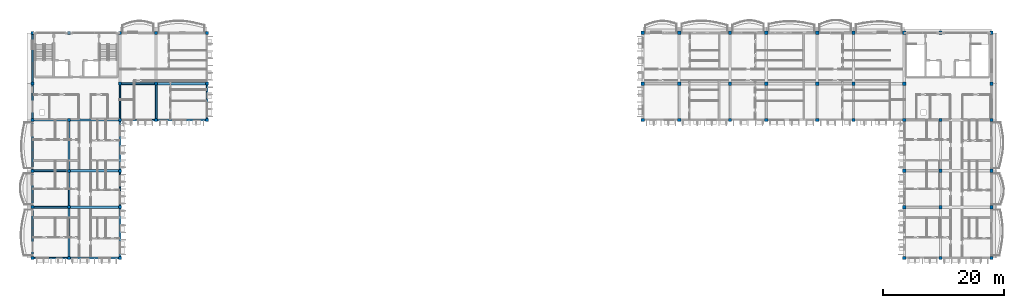
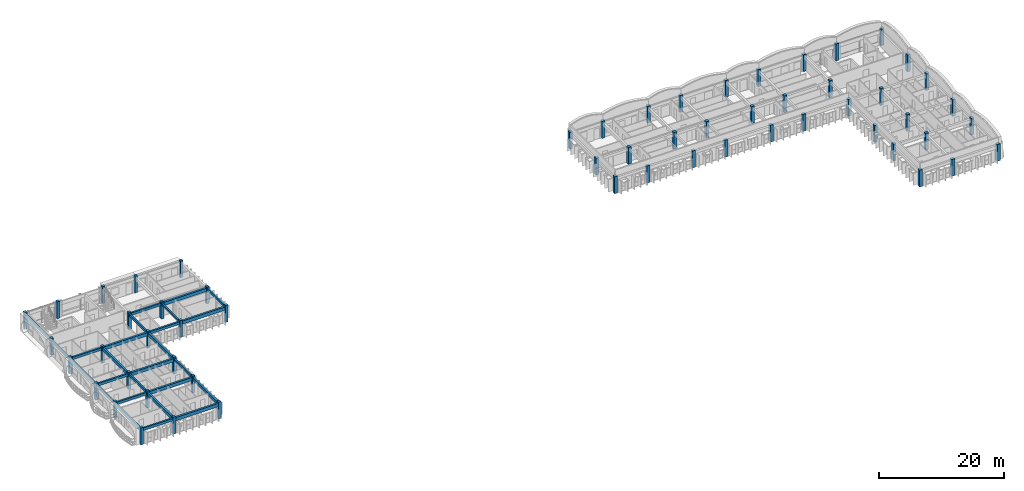
# One storey, part 1 of 28: 58 columns, 26 beams.
"""IFC4 building model written with IfcOpenShell, lengths in metres."""

from ifc_helpers import new_model, si_unit, direction, frame, origin, origin_2d, place, context, subcontext, project, spatial, rectangle, extrude, material, material_profile, profile_set, type_object, element, save


model = new_model("IFC4")

# Units and contexts
model_context = context("Model", 3, precision=1e-05, world=origin(), true_north=direction((0.0, 1.0)))
body_context = subcontext(model_context, "Body", "Model", "MODEL_VIEW")
ifc_project = project(units=[si_unit("LENGTHUNIT", "METRE"), si_unit("AREAUNIT", "SQUARE_METRE"), si_unit("VOLUMEUNIT", "CUBIC_METRE"), si_unit("PLANEANGLEUNIT", "RADIAN"), si_unit("MASSUNIT", "GRAM", prefix="KILO"), si_unit("THERMODYNAMICTEMPERATUREUNIT", "KELVIN")], contexts=[model_context])

# Site, building, storey
site_placement = place(None, origin())
site = spatial("IfcSite", under=ifc_project, at=site_placement, CompositionType="ELEMENT")
building_placement = place(site_placement, origin())
building = spatial("IfcBuilding", under=site, at=building_placement, Name="Thalorik Housing Commons", CompositionType="ELEMENT")
storey_placement = place(building_placement, frame((0.0, 0.0, 41.10009765625)))
storey = spatial("IfcBuildingStorey", under=building, at=storey_placement, Name="L12", CompositionType="ELEMENT", Elevation=41.10009765625)

# Columns
ifc_material = material(Name="Precast concrete C40/50", Category="concrete")
ifc_material_profile_1 = material_profile(ifc_material, rectangle(XDim=0.5, YDim=0.5, at=origin_2d()), Name="PC 500x500", Category="concrete")
ifc_profile_set_1 = profile_set([ifc_material_profile_1], Name="Precast concrete C40/50")
column_type_1 = type_object("IfcColumnType", Name="STR-COL-PC500", PredefinedType="COLUMN", material=ifc_profile_set_1)
for number, where, z_axis, x_axis, name in (
    (1, (8.39990234375, 86.39990234375, 0.0), (0.0, 0.0, 1.0), (1.0, 0.0, 0.0), "L12 Column C-500"),
    (2, (8.39990234375, 94.800048828125, 0.0), (0.0, 0.0, 1.0), (1.0, 0.0, 0.0), "L12 Column C-500"),
    (3, (8.39990234375, 100.800048828125, 0.0), (0.0, 0.0, 1.0), (1.0, 0.0, 0.0), "L12 Column C-500"),
    (4, (8.39990234375, 109.199951171875, 0.0), (0.0, 0.0, 1.0), (1.0, 0.0, 0.0), "L12 Column C-500"),
    (5, (8.39990234375, 115.199951171875, 0.0), (0.0, 0.0, 1.0), (1.0, 0.0, 0.0), "L12 Column C-500"),
    (6, (8.39990234375, 123.60009765625, 0.0), (0.0, 0.0, 1.0), (1.0, 0.0, 0.0), "L12 Column C-500"),
    (7, (14.39990234375, 86.39990234375, 0.0), (0.0, 0.0, 1.0), (1.0, 0.0, 0.0), "L12 Column C-500"),
    (8, (14.39990234375, 94.800048828125, 0.0), (0.0, 0.0, 1.0), (1.0, 0.0, 0.0), "L12 Column C-500"),
    (9, (14.39990234375, 100.800048828125, 0.0), (0.0, 0.0, 1.0), (1.0, 0.0, 0.0), "L12 Column C-500"),
    (10, (14.39990234375, 109.199951171875, 0.0), (0.0, 0.0, 1.0), (1.0, 0.0, 0.0), "L12 Column C-500"),
    (11, (14.39990234375, 123.60009765625, 0.0), (0.0, 0.0, 1.0), (1.0, 0.0, 0.0), "L12 Column C-500"),
    (12, (22.800048828125, 86.39990234375, 0.0), (0.0, 0.0, 1.0), (1.0, 0.0, 0.0), "L12 Column C-500"),
    (13, (22.800048828125, 94.800048828125, 0.0), (0.0, 0.0, 1.0), (1.0, 0.0, 0.0), "L12 Column C-500"),
    (14, (22.800048828125, 100.800048828125, 0.0), (0.0, 0.0, 1.0), (1.0, 0.0, 0.0), "L12 Column C-500"),
    (15, (22.800048828125, 109.199951171875, 0.0), (0.0, 0.0, 1.0), (1.0, 0.0, 0.0), "L12 Column C-500"),
    (16, (22.800048828125, 115.199951171875, 0.0), (0.0, 0.0, 1.0), (1.0, 0.0, 0.0), "L12 Column C-500"),
    (17, (22.800048828125, 123.60009765625, 0.0), (0.0, 0.0, 1.0), (1.0, 0.0, 0.0), "L12 Column C-500"),
    (18, (28.800048828125, 109.199951171875, 0.0), (0.0, 0.0, 1.0), (1.0, 0.0, 0.0), "L12 Column C-500"),
    (19, (28.800048828125, 115.199951171875, 0.0), (0.0, 0.0, 1.0), (1.0, 0.0, 0.0), "L12 Column C-500"),
    (20, (28.800048828125, 123.60009765625, 0.0), (0.0, 0.0, 1.0), (1.0, 0.0, 0.0), "L12 Column C-500"),
    (21, (37.199951171875, 109.199951171875, 0.0), (0.0, 0.0, 1.0), (1.0, 0.0, 0.0), "L12 Column C-500"),
    (22, (37.199951171875, 115.199951171875, 0.0), (0.0, 0.0, 1.0), (1.0, 0.0, 0.0), "L12 Column C-500"),
    (23, (37.199951171875, 123.60009765625, 0.0), (0.0, 0.0, 1.0), (1.0, 0.0, 0.0), "L12 Column C-500"),
):
    element("IfcColumn", number, at=place(storey_placement, frame(where, z_axis=z_axis, x_axis=x_axis)), inside=storey, type_object=column_type_1, Name=name, PredefinedType="COLUMN", context=body_context, shape_type="SweptSolid", body=[
        extrude(rectangle(XDim=0.5, YDim=0.5, at=origin_2d()), origin(), (0.0, 0.0, 1.0), 3.2998046875),
    ])
ifc_material_profile_2 = material_profile(ifc_material, rectangle(XDim=0.550048828125, YDim=0.550048828125, at=origin_2d()), Name="PC 550x550", Category="concrete")
ifc_profile_set_2 = profile_set([ifc_material_profile_2], Name="Precast concrete C40/50")
column_type_2 = type_object("IfcColumnType", Name="STR-COL-PC550", PredefinedType="COLUMN", material=ifc_profile_set_2)
for number, where, z_axis, x_axis, name in (
    (24, (109.199951171875, 109.199951171875, 0.0), (0.0, 0.0, 1.0), (1.0, 0.0, 0.0), "L12 Column C-550"),
    (25, (109.199951171875, 115.199951171875, 0.0), (0.0, 0.0, 1.0), (1.0, 0.0, 0.0), "L12 Column C-550"),
    (26, (109.199951171875, 123.60009765625, 0.0), (0.0, 0.0, 1.0), (1.0, 0.0, 0.0), "L12 Column C-550"),
    (27, (115.199951171875, 109.199951171875, 0.0), (0.0, 0.0, 1.0), (1.0, 0.0, 0.0), "L12 Column C-550"),
    (28, (115.199951171875, 115.199951171875, 0.0), (0.0, 0.0, 1.0), (1.0, 0.0, 0.0), "L12 Column C-550"),
    (29, (115.199951171875, 123.60009765625, 0.0), (0.0, 0.0, 1.0), (1.0, 0.0, 0.0), "L12 Column C-550"),
    (30, (123.60009765625, 109.199951171875, 0.0), (0.0, 0.0, 1.0), (1.0, 0.0, 0.0), "L12 Column C-550"),
    (31, (123.60009765625, 115.199951171875, 0.0), (0.0, 0.0, 1.0), (1.0, 0.0, 0.0), "L12 Column C-550"),
    (32, (123.60009765625, 123.60009765625, 0.0), (0.0, 0.0, 1.0), (1.0, 0.0, 0.0), "L12 Column C-550"),
    (33, (129.60009765625, 109.199951171875, 0.0), (0.0, 0.0, 1.0), (1.0, 0.0, 0.0), "L12 Column C-550"),
    (34, (129.60009765625, 115.199951171875, 0.0), (0.0, 0.0, 1.0), (1.0, 0.0, 0.0), "L12 Column C-550"),
    (35, (129.60009765625, 123.60009765625, 0.0), (0.0, 0.0, 1.0), (1.0, 0.0, 0.0), "L12 Column C-550"),
    (36, (138.0, 109.199951171875, 0.0), (0.0, 0.0, 1.0), (1.0, 0.0, 0.0), "L12 Column C-550"),
    (37, (138.0, 115.199951171875, 0.0), (0.0, 0.0, 1.0), (1.0, 0.0, 0.0), "L12 Column C-550"),
    (38, (138.0, 123.60009765625, 0.0), (0.0, 0.0, 1.0), (1.0, 0.0, 0.0), "L12 Column C-550"),
    (39, (144.0, 109.199951171875, 0.0), (0.0, 0.0, 1.0), (1.0, 0.0, 0.0), "L12 Column C-550"),
    (40, (144.0, 115.199951171875, 0.0), (0.0, 0.0, 1.0), (1.0, 0.0, 0.0), "L12 Column C-550"),
    (41, (144.0, 123.60009765625, 0.0), (0.0, 0.0, 1.0), (1.0, 0.0, 0.0), "L12 Column C-550"),
    (42, (152.39990234375, 86.39990234375, 0.0), (0.0, 0.0, 1.0), (1.0, 0.0, 0.0), "L12 Column C-550"),
    (43, (152.39990234375, 94.800048828125, 0.0), (0.0, 0.0, 1.0), (1.0, 0.0, 0.0), "L12 Column C-550"),
    (44, (152.39990234375, 100.800048828125, 0.0), (0.0, 0.0, 1.0), (1.0, 0.0, 0.0), "L12 Column C-550"),
    (45, (152.39990234375, 109.199951171875, 0.0), (0.0, 0.0, 1.0), (1.0, 0.0, 0.0), "L12 Column C-550"),
    (46, (152.39990234375, 115.199951171875, 0.0), (0.0, 0.0, 1.0), (1.0, 0.0, 0.0), "L12 Column C-550"),
    (47, (152.39990234375, 123.60009765625, 0.0), (0.0, 0.0, 1.0), (1.0, 0.0, 0.0), "L12 Column C-550"),
    (48, (158.39990234375, 86.39990234375, 0.0), (0.0, 0.0, 1.0), (1.0, 0.0, 0.0), "L12 Column C-550"),
    (49, (158.39990234375, 94.800048828125, 0.0), (0.0, 0.0, 1.0), (1.0, 0.0, 0.0), "L12 Column C-550"),
    (50, (158.39990234375, 100.800048828125, 0.0), (0.0, 0.0, 1.0), (1.0, 0.0, 0.0), "L12 Column C-550"),
    (51, (158.39990234375, 109.199951171875, 0.0), (0.0, 0.0, 1.0), (1.0, 0.0, 0.0), "L12 Column C-550"),
    (52, (158.39990234375, 123.60009765625, 0.0), (0.0, 0.0, 1.0), (1.0, 0.0, 0.0), "L12 Column C-550"),
    (53, (166.800048828125, 86.39990234375, 0.0), (0.0, 0.0, 1.0), (1.0, 0.0, 0.0), "L12 Column C-550"),
    (54, (166.800048828125, 94.800048828125, 0.0), (0.0, 0.0, 1.0), (1.0, 0.0, 0.0), "L12 Column C-550"),
    (55, (166.800048828125, 100.800048828125, 0.0), (0.0, 0.0, 1.0), (1.0, 0.0, 0.0), "L12 Column C-550"),
    (56, (166.800048828125, 109.199951171875, 0.0), (0.0, 0.0, 1.0), (1.0, 0.0, 0.0), "L12 Column C-550"),
    (57, (166.800048828125, 115.199951171875, 0.0), (0.0, 0.0, 1.0), (1.0, 0.0, 0.0), "L12 Column C-550"),
    (58, (166.800048828125, 123.60009765625, 0.0), (0.0, 0.0, 1.0), (1.0, 0.0, 0.0), "L12 Column C-550"),
):
    element("IfcColumn", number, at=place(storey_placement, frame(where, z_axis=z_axis, x_axis=x_axis)), inside=storey, type_object=column_type_2, Name=name, PredefinedType="COLUMN", context=body_context, shape_type="SweptSolid", body=[
        extrude(rectangle(XDim=0.550048828125, YDim=0.550048828125, at=origin_2d()), origin(), (0.0, 0.0, 1.0), 3.2998046875),
    ])

# Beams
ifc_material_profile_3 = material_profile(ifc_material, rectangle(XDim=0.280029296875, YDim=0.449951171875, at=origin_2d()), Name="PC 280x450", Category="concrete")
ifc_profile_set_3 = profile_set([ifc_material_profile_3], Name="Precast concrete C40/50")
beam_type_1 = type_object("IfcBeamType", Name="STR-BM-PC280x450", PredefinedType="BEAM", material=ifc_profile_set_3)
for number, where, z_axis, x_axis, name in (
    (59, (14.39990234375, 95.0, 2.81494140625), (0.0, 1.0, 0.0), (-1.0, 0.0, 0.0), "L12 Beam B-450"),
    (60, (22.800048828125, 95.0, 2.81494140625), (0.0, 1.0, 0.0), (-1.0, 0.0, 0.0), "L12 Beam B-450"),
    (61, (22.800048828125, 109.39990234375, 2.81494140625), (0.0, 1.0, 0.0), (-1.0, 0.0, 0.0), "L12 Beam B-450"),
    (62, (28.800048828125, 109.39990234375, 2.81494140625), (0.0, 1.0, 0.0), (-1.0, 0.0, 0.0), "L12 Beam B-450"),
    (63, (37.199951171875, 109.39990234375, 2.81494140625), (0.0, 1.0, 0.0), (-1.0, 0.0, 0.0), "L12 Beam B-450"),
):
    element("IfcBeam", number, at=place(storey_placement, frame(where, z_axis=z_axis, x_axis=x_axis)), inside=storey, type_object=beam_type_1, Name=name, PredefinedType="BEAM", context=body_context, shape_type="SweptSolid", body=[
        extrude(rectangle(XDim=0.280029296875, YDim=0.449951171875, at=origin_2d()), origin(), (0.0, 0.0, 1.0), 5.60009765625),
    ])
ifc_material_profile_4 = material_profile(ifc_material, rectangle(XDim=0.300048828125, YDim=0.5, at=origin_2d()), Name="PC 300x500", Category="concrete")
ifc_profile_set_4 = profile_set([ifc_material_profile_4], Name="Precast concrete C40/50")
beam_type_2 = type_object("IfcBeamType", Name="STR-BM-PC300x500", PredefinedType="BEAM", material=ifc_profile_set_4)
for number, where, z_axis, x_axis, name in (
    (64, (8.60009765625, 86.39990234375, 2.789794921875), (1.0, 0.0, 0.0), (0.0, 1.0, 0.0), "L12 Beam B-500"),
    (65, (8.60009765625, 94.800048828125, 2.789794921875), (1.0, 0.0, 0.0), (0.0, 1.0, 0.0), "L12 Beam B-500"),
    (66, (8.60009765625, 100.800048828125, 2.789794921875), (1.0, 0.0, 0.0), (0.0, 1.0, 0.0), "L12 Beam B-500"),
    (67, (8.60009765625, 109.199951171875, 2.789794921875), (1.0, 0.0, 0.0), (0.0, 1.0, 0.0), "L12 Beam B-500"),
):
    element("IfcBeam", number, at=place(storey_placement, frame(where, z_axis=z_axis, x_axis=x_axis)), inside=storey, type_object=beam_type_2, Name=name, PredefinedType="BEAM", context=body_context, shape_type="SweptSolid", body=[
        extrude(rectangle(XDim=0.300048828125, YDim=0.5, at=origin_2d()), origin(), (0.0, 0.0, 1.0), 5.599853515625),
    ])
for number, where, z_axis, x_axis, name in (
    (68, (23.0, 109.199951171875, 2.789794921875), (1.0, 0.0, 0.0), (0.0, 1.0, 0.0), "L12 Beam B-500"),
    (69, (23.0, 115.199951171875, 2.789794921875), (1.0, 0.0, 0.0), (0.0, 1.0, 0.0), "L12 Beam B-500"),
):
    element("IfcBeam", number, at=place(storey_placement, frame(where, z_axis=z_axis, x_axis=x_axis)), inside=storey, type_object=beam_type_2, Name=name, PredefinedType="BEAM", context=body_context, shape_type="SweptSolid", body=[
        extrude(rectangle(XDim=0.300048828125, YDim=0.5, at=origin_2d()), origin(), (0.0, 0.0, 1.0), 5.60009765625),
    ])
ifc_material_profile_5 = material_profile(ifc_material, rectangle(XDim=0.35009765625, YDim=0.60009765625, at=origin_2d()), Name="PC 350x600", Category="concrete")
ifc_profile_set_5 = profile_set([ifc_material_profile_5], Name="Precast concrete C40/50")
beam_type_3 = type_object("IfcBeamType", Name="STR-BM-PC350x600", PredefinedType="BEAM", material=ifc_profile_set_5)
for number, where, z_axis, x_axis, name in (
    (70, (14.39990234375, 86.60009765625, 2.739990234375), (0.0, 1.0, 0.0), (-1.0, 0.0, 0.0), "L12 Beam B-600"),
    (71, (14.39990234375, 101.0, 2.739990234375), (0.0, 1.0, 0.0), (-1.0, 0.0, 0.0), "L12 Beam B-600"),
    (72, (22.800048828125, 86.60009765625, 2.739990234375), (0.0, 1.0, 0.0), (-1.0, 0.0, 0.0), "L12 Beam B-600"),
    (73, (22.800048828125, 101.0, 2.739990234375), (0.0, 1.0, 0.0), (-1.0, 0.0, 0.0), "L12 Beam B-600"),
):
    element("IfcBeam", number, at=place(storey_placement, frame(where, z_axis=z_axis, x_axis=x_axis)), inside=storey, type_object=beam_type_3, Name=name, PredefinedType="BEAM", context=body_context, shape_type="SweptSolid", body=[
        extrude(rectangle(XDim=0.35009765625, YDim=0.60009765625, at=origin_2d()), origin(), (0.0, 0.0, 1.0), 8.0),
    ])
ifc_material_profile_6 = material_profile(ifc_material, rectangle(XDim=0.3798828125, YDim=0.64990234375, at=origin_2d()), Name="PC 380x650", Category="concrete")
ifc_profile_set_6 = profile_set([ifc_material_profile_6], Name="Precast concrete C40/50")
beam_type_4 = type_object("IfcBeamType", Name="STR-BM-PC380x650", PredefinedType="BEAM", material=ifc_profile_set_6)
for number, where, z_axis, x_axis, name in (
    (74, (14.60009765625, 86.39990234375, 2.71484375), (1.0, 0.0, 0.0), (0.0, 1.0, 0.0), "L12 Beam B-650"),
    (75, (14.60009765625, 94.800048828125, 2.71484375), (1.0, 0.0, 0.0), (0.0, 1.0, 0.0), "L12 Beam B-650"),
    (76, (14.60009765625, 100.800048828125, 2.71484375), (1.0, 0.0, 0.0), (0.0, 1.0, 0.0), "L12 Beam B-650"),
    (77, (14.60009765625, 109.199951171875, 2.71484375), (1.0, 0.0, 0.0), (0.0, 1.0, 0.0), "L12 Beam B-650"),
    (78, (29.0, 109.199951171875, 2.71484375), (1.0, 0.0, 0.0), (0.0, 1.0, 0.0), "L12 Beam B-650"),
    (79, (29.0, 115.199951171875, 2.71484375), (1.0, 0.0, 0.0), (0.0, 1.0, 0.0), "L12 Beam B-650"),
):
    element("IfcBeam", number, at=place(storey_placement, frame(where, z_axis=z_axis, x_axis=x_axis)), inside=storey, type_object=beam_type_4, Name=name, PredefinedType="BEAM", context=body_context, shape_type="SweptSolid", body=[
        extrude(rectangle(XDim=0.3798828125, YDim=0.64990234375, at=origin_2d()), origin(), (0.0, 0.0, 1.0), 8.0),
    ])
ifc_material_profile_7 = material_profile(ifc_material, rectangle(XDim=0.239990234375, YDim=0.580078125, at=origin_2d()), Name="PC SP 240x580", Category="concrete")
ifc_profile_set_7 = profile_set([ifc_material_profile_7], Name="Precast concrete C40/50")
beam_type_5 = type_object("IfcBeamType", Name="STR-SP-PC240x580", PredefinedType="SPANDREL", material=ifc_profile_set_7)
for number, where, z_axis, x_axis, name in (
    (80, (8.39990234375, 95.0, 2.75), (0.0, 1.0, 0.0), (-1.0, 0.0, 0.0), "L12 Beam B-450"),
    (81, (8.39990234375, 109.39990234375, 2.75), (0.0, 1.0, 0.0), (-1.0, 0.0, 0.0), "L12 Beam B-450"),
):
    element("IfcBeam", number, at=place(storey_placement, frame(where, z_axis=z_axis, x_axis=x_axis)), inside=storey, type_object=beam_type_5, Name=name, PredefinedType="SPANDREL", context=body_context, shape_type="SweptSolid", body=[
        extrude(rectangle(XDim=0.239990234375, YDim=0.580078125, at=origin_2d()), origin(), (0.0, 0.0, 1.0), 5.60009765625),
    ])
ifc_material_profile_8 = material_profile(ifc_material, rectangle(XDim=0.260009765625, YDim=0.679931640625, at=origin_2d()), Name="PC SP 260x680", Category="concrete")
ifc_profile_set_8 = profile_set([ifc_material_profile_8], Name="Precast concrete C40/50")
beam_type_6 = type_object("IfcBeamType", Name="STR-SP-PC260x680", PredefinedType="SPANDREL", material=ifc_profile_set_8)
for number, where, z_axis, x_axis, name in (
    (82, (8.39990234375, 86.60009765625, 2.699951171875), (0.0, 1.0, 0.0), (-1.0, 0.0, 0.0), "L12 Beam B-600"),
    (83, (8.39990234375, 101.0, 2.699951171875), (0.0, 1.0, 0.0), (-1.0, 0.0, 0.0), "L12 Beam B-600"),
    (84, (8.39990234375, 115.39990234375, 2.699951171875), (0.0, 1.0, 0.0), (-1.0, 0.0, 0.0), "L12 Beam B-600"),
):
    element("IfcBeam", number, at=place(storey_placement, frame(where, z_axis=z_axis, x_axis=x_axis)), inside=storey, type_object=beam_type_6, Name=name, PredefinedType="SPANDREL", context=body_context, shape_type="SweptSolid", body=[
        extrude(rectangle(XDim=0.260009765625, YDim=0.679931640625, at=origin_2d()), origin(), (0.0, 0.0, 1.0), 8.0),
    ])

save(model, "model.ifc")
